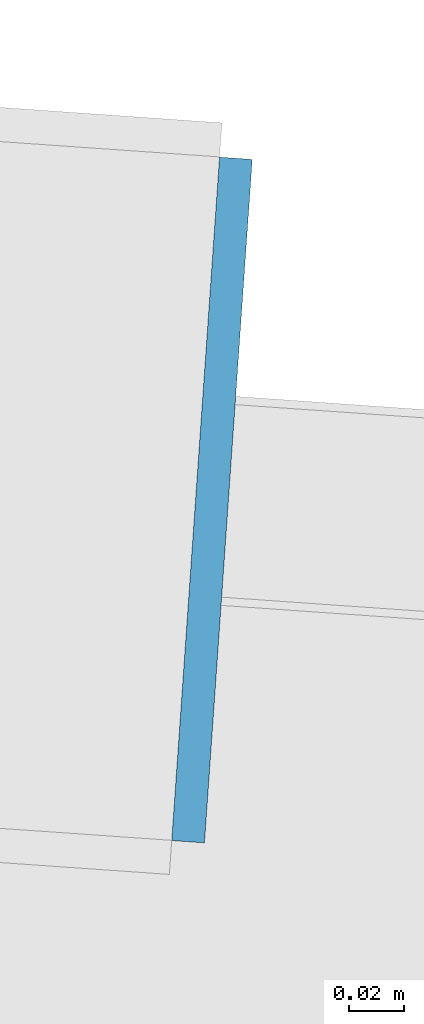
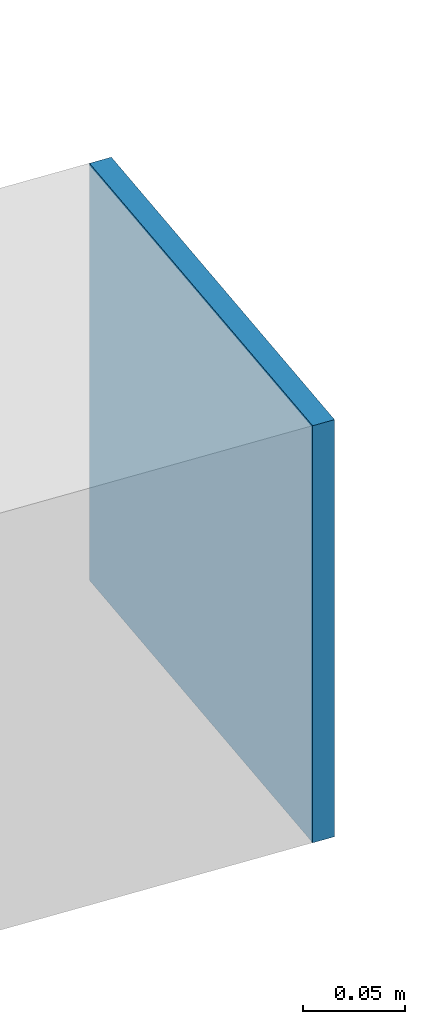
# One storey, part 31 of 39: 1 plate.
"""IFC4 building model written with IfcOpenShell, lengths in metres."""

from ifc_helpers import new_model, si_unit, direction, frame, origin, origin_2d, place, context, subcontext, project, spatial, rectangle, extrude, source, transform, mapped, material, layer, layer_set, type_object, element, save


model = new_model("IFC4")

# Units and contexts
model_context = context("Model", 3, precision=1e-05, world=origin(), true_north=direction((0.0, 1.0)))
body_context = subcontext(model_context, "Body", "Model", "MODEL_VIEW")
ifc_project = project(units=[si_unit("LENGTHUNIT", "METRE"), si_unit("AREAUNIT", "SQUARE_METRE"), si_unit("VOLUMEUNIT", "CUBIC_METRE"), si_unit("PLANEANGLEUNIT", "RADIAN"), si_unit("MASSUNIT", "GRAM", prefix="KILO")], contexts=[model_context])

# Site, building, storey
site_placement = place(None, origin())
site = spatial("IfcSite", under=ifc_project, at=site_placement, CompositionType="ELEMENT")
building_placement = place(site_placement, origin())
building = spatial("IfcBuilding", under=site, at=building_placement, Name="Taldren Reach Tower", CompositionType="ELEMENT")
storey_placement = place(building_placement, frame((0.0, 0.0, 155.050048828125)))
storey = spatial("IfcBuildingStorey", under=building, at=storey_placement, Name="L47", CompositionType="ELEMENT", Elevation=155.050048828125)

# Plate
ifc_material = material(Name="Steel Gr 350 (C350L0)", Category="steel")
ifc_layer = layer(ifc_material, 0.011962890625)
ifc_layer_set = layer_set([ifc_layer], Name="Steel Gr 350 (C350L0)")
plate_type = type_object("IfcPlateType", Name="PL-CAP-250", PredefinedType="SHEET", material=ifc_layer_set)
shared_shape = source(origin(), body_context, "Body", "SweptSolid", [
    extrude(rectangle(XDim=0.011962890625, YDim=0.25, at=origin_2d()), origin(), (0.0, 0.0, 1.0), 0.25),
])
plate_placement = place(storey_placement, frame((62.88330078125, 30.991943359375, 0.094970703125), z_axis=(0.0, 0.0, 1.0), x_axis=(0.99756405026, -0.069756473744, 0.0)))
element("IfcPlate", 1, at=plate_placement, inside=storey, type_object=plate_type, Name="Tie strut end cap plate B3-E3 L47", PredefinedType="SHEET", context=body_context, shape_type="MappedRepresentation", body=[
    mapped(shared_shape, transform((0.0, 0.0, 0.0), scale=1.0)),
])

save(model, "model.ifc")
